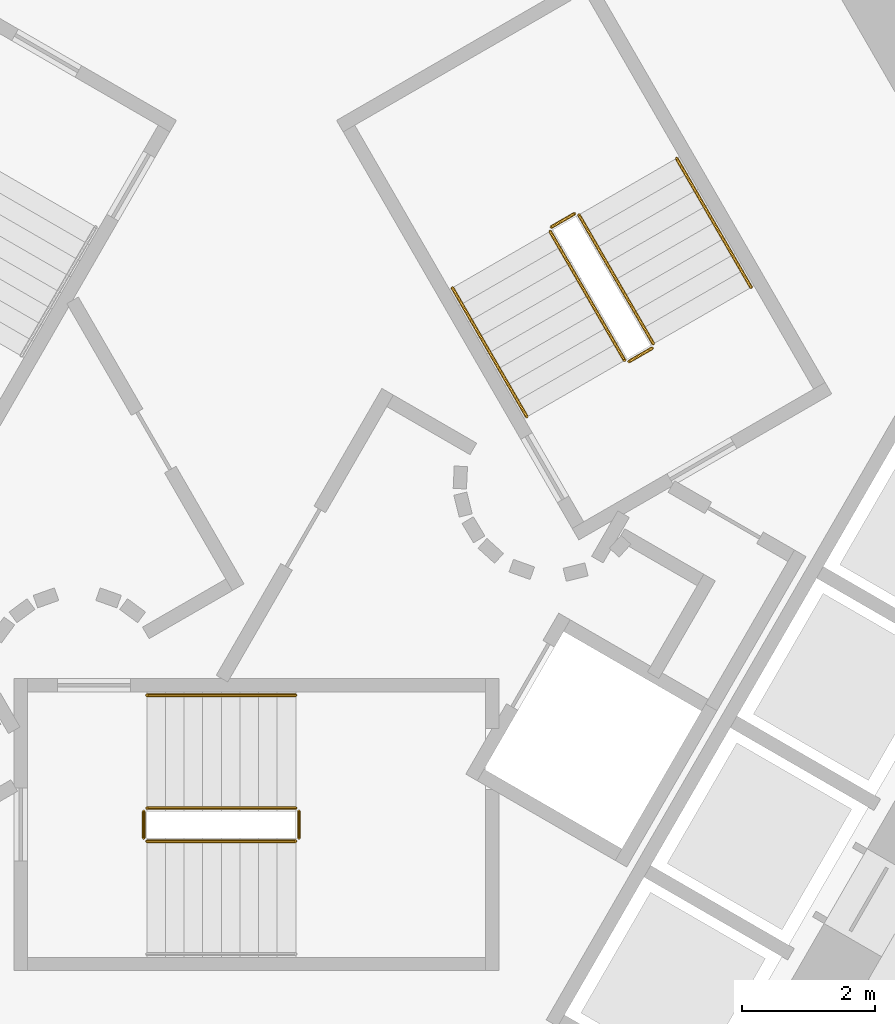
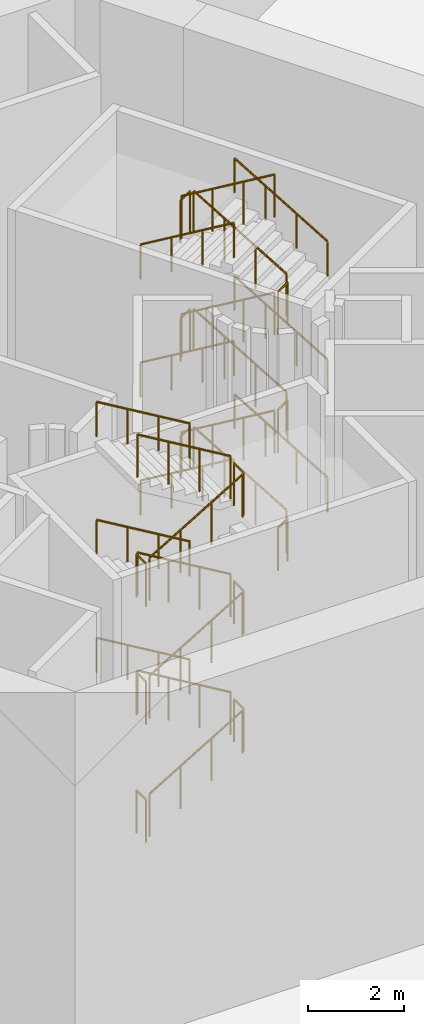
# One storey, part 29 of 36: 33 railings.
"""IFC4 building model written with IfcOpenShell, lengths in metres."""

from ifc_helpers import new_model, si_unit, direction, frame, origin, origin_2d, place, context, subcontext, project, spatial, circle, extrude, material, type_object, element, save


model = new_model("IFC4")

# Units and contexts
model_context = context("Model", 3, precision=1e-05, world=origin(), true_north=direction((0.0, 1.0)))
body_context = subcontext(model_context, "Body", "Model", "MODEL_VIEW")
ifc_project = project(units=[si_unit("LENGTHUNIT", "METRE"), si_unit("AREAUNIT", "SQUARE_METRE"), si_unit("VOLUMEUNIT", "CUBIC_METRE"), si_unit("PLANEANGLEUNIT", "RADIAN"), si_unit("MASSUNIT", "GRAM", prefix="KILO")], contexts=[model_context])

# Site, building, storey
site_placement = place(None, origin())
site = spatial("IfcSite", under=ifc_project, at=site_placement, CompositionType="ELEMENT")
building_placement = place(site_placement, origin())
building = spatial("IfcBuilding", under=site, at=building_placement, Name="Entoto Arch Interchange Tower", CompositionType="ELEMENT")
storey_placement = place(building_placement, origin())
storey = spatial("IfcBuildingStorey", under=building, at=storey_placement, Name="L00", CompositionType="ELEMENT", Elevation=0.0)

# Railings
ifc_material = material(Name="Stainless steel 1.4301", Category="steel")
railing_type_1 = type_object("IfcRailingType", Name="STAIR GUARD 1100 STEEL", PredefinedType="GUARDRAIL", material=ifc_material)
railing_1_placement = place(storey_placement, frame((-1.64990234375, -3.449951171875, 0.166748046875)))
element("IfcRailing", 1, at=railing_1_placement, inside=storey, type_object=railing_type_1, Name="L00 ST-S stair guard 1", PredefinedType="GUARDRAIL", context=body_context, shape_type="SweptSolid", body=[
    extrude(circle(Radius=0.02392578125, at=origin_2d()), frame((0.0, 0.0, 1.076171875), z_axis=(0.859305625298, 0.0, 0.511462454469), x_axis=(0.0, 1.0, 0.0)), (0.0, 0.0, 1.0), 2.606689453125),
    extrude(circle(Radius=0.02099609375, at=origin_2d()), origin(), (0.0, 0.0, 1.0), 1.052001953125),
    extrude(circle(Radius=0.02099609375, at=origin_2d()), frame((0.74658203125, 0.0, 0.4443359375)), (0.0, 0.0, 1.0), 1.052001953125),
    extrude(circle(Radius=0.02099609375, at=origin_2d()), frame((1.493408203125, 0.0, 0.888916015625)), (0.0, 0.0, 1.0), 1.052001953125),
    extrude(circle(Radius=0.02099609375, at=origin_2d()), frame((2.239990234375, 0.0, 1.333251953125)), (0.0, 0.0, 1.0), 1.052001953125),
])
railing_2_placement = place(storey_placement, frame((0.639892578125, -3.39990234375, 1.5)))
element("IfcRailing", 2, at=railing_2_placement, inside=storey, type_object=railing_type_1, Name="L00 ST-S stair guard 2", PredefinedType="GUARDRAIL", context=body_context, shape_type="SweptSolid", body=[
    extrude(circle(Radius=0.02392578125, at=origin_2d()), frame((0.0, 0.0, 1.076171875), z_axis=(0.0, 1.0, 0.0), x_axis=(-1.0, 0.0, 0.0)), (0.0, 0.0, 1.0), 0.39990234375),
    extrude(circle(Radius=0.02099609375, at=origin_2d()), origin(), (0.0, 0.0, 1.0), 1.052001953125),
    extrude(circle(Radius=0.02099609375, at=origin_2d()), frame((0.0, 0.39990234375, 0.0)), (0.0, 0.0, 1.0), 1.052001953125),
])
railing_3_placement = place(storey_placement, frame((0.590087890625, -2.949951171875, 1.666748046875)))
element("IfcRailing", 3, at=railing_3_placement, inside=storey, type_object=railing_type_1, Name="L00 ST-S stair guard 3", PredefinedType="GUARDRAIL", context=body_context, shape_type="SweptSolid", body=[
    extrude(circle(Radius=0.02392578125, at=origin_2d()), frame((0.0, 0.0, 1.076171875), z_axis=(-0.859305625298, 0.0, 0.511462454469), x_axis=(0.0, -1.0, 0.0)), (0.0, 0.0, 1.0), 2.606689453125),
    extrude(circle(Radius=0.02099609375, at=origin_2d()), origin(), (0.0, 0.0, 1.0), 1.052001953125),
    extrude(circle(Radius=0.02099609375, at=origin_2d()), frame((-0.74658203125, 0.0, 0.4443359375)), (0.0, 0.0, 1.0), 1.052001953125),
    extrude(circle(Radius=0.02099609375, at=origin_2d()), frame((-1.493408203125, 0.0, 0.888916015625)), (0.0, 0.0, 1.0), 1.052001953125),
    extrude(circle(Radius=0.02099609375, at=origin_2d()), frame((-2.239990234375, 0.0, 1.333251953125)), (0.0, 0.0, 1.0), 1.052001953125),
])
railing_4_placement = place(storey_placement, frame((-1.699951171875, -3.39990234375, 3.0)))
element("IfcRailing", 4, at=railing_4_placement, inside=storey, type_object=railing_type_1, Name="L00 ST-S stair guard 4", PredefinedType="GUARDRAIL", context=body_context, shape_type="SweptSolid", body=[
    extrude(circle(Radius=0.02392578125, at=origin_2d()), frame((0.0, 0.0, 1.076171875), z_axis=(0.0, 1.0, 0.0), x_axis=(-1.0, 0.0, 0.0)), (0.0, 0.0, 1.0), 0.39990234375),
    extrude(circle(Radius=0.02099609375, at=origin_2d()), origin(), (0.0, 0.0, 1.0), 1.052001953125),
    extrude(circle(Radius=0.02099609375, at=origin_2d()), frame((0.0, 0.39990234375, 0.0)), (0.0, 0.0, 1.0), 1.052001953125),
])
railing_5_placement = place(storey_placement, frame((-1.64990234375, -3.449951171875, 3.166748046875)))
element("IfcRailing", 5, at=railing_5_placement, inside=storey, type_object=railing_type_1, Name="L00 ST-S stair guard 5", PredefinedType="GUARDRAIL", context=body_context, shape_type="SweptSolid", body=[
    extrude(circle(Radius=0.02392578125, at=origin_2d()), frame((0.0, 0.0, 1.076171875), z_axis=(0.859305625298, 0.0, 0.511462454469), x_axis=(0.0, 1.0, 0.0)), (0.0, 0.0, 1.0), 2.606689453125),
    extrude(circle(Radius=0.02099609375, at=origin_2d()), origin(), (0.0, 0.0, 1.0), 1.052001953125),
    extrude(circle(Radius=0.02099609375, at=origin_2d()), frame((0.74658203125, 0.0, 0.4443359375)), (0.0, 0.0, 1.0), 1.052001953125),
    extrude(circle(Radius=0.02099609375, at=origin_2d()), frame((1.493408203125, 0.0, 0.888916015625)), (0.0, 0.0, 1.0), 1.052001953125),
    extrude(circle(Radius=0.02099609375, at=origin_2d()), frame((2.239990234375, 0.0, 1.333251953125)), (0.0, 0.0, 1.0), 1.052001953125),
])
railing_6_placement = place(storey_placement, frame((0.639892578125, -3.39990234375, 4.5)))
element("IfcRailing", 6, at=railing_6_placement, inside=storey, type_object=railing_type_1, Name="L00 ST-S stair guard 6", PredefinedType="GUARDRAIL", context=body_context, shape_type="SweptSolid", body=[
    extrude(circle(Radius=0.02392578125, at=origin_2d()), frame((0.0, 0.0, 1.076171875), z_axis=(0.0, 1.0, 0.0), x_axis=(-1.0, 0.0, 0.0)), (0.0, 0.0, 1.0), 0.39990234375),
    extrude(circle(Radius=0.02099609375, at=origin_2d()), origin(), (0.0, 0.0, 1.0), 1.052001953125),
    extrude(circle(Radius=0.02099609375, at=origin_2d()), frame((0.0, 0.39990234375, 0.0)), (0.0, 0.0, 1.0), 1.052001953125),
])
railing_7_placement = place(storey_placement, frame((0.590087890625, -2.949951171875, 4.666748046875)))
element("IfcRailing", 7, at=railing_7_placement, inside=storey, type_object=railing_type_1, Name="L00 ST-S stair guard 7", PredefinedType="GUARDRAIL", context=body_context, shape_type="SweptSolid", body=[
    extrude(circle(Radius=0.02392578125, at=origin_2d()), frame((0.0, 0.0, 1.076171875), z_axis=(-0.859305625298, 0.0, 0.511462454469), x_axis=(0.0, -1.0, 0.0)), (0.0, 0.0, 1.0), 2.606689453125),
    extrude(circle(Radius=0.02099609375, at=origin_2d()), origin(), (0.0, 0.0, 1.0), 1.052001953125),
    extrude(circle(Radius=0.02099609375, at=origin_2d()), frame((-0.74658203125, 0.0, 0.4443359375)), (0.0, 0.0, 1.0), 1.052001953125),
    extrude(circle(Radius=0.02099609375, at=origin_2d()), frame((-1.493408203125, 0.0, 0.888916015625)), (0.0, 0.0, 1.0), 1.052001953125),
    extrude(circle(Radius=0.02099609375, at=origin_2d()), frame((-2.239990234375, 0.0, 1.333251953125)), (0.0, 0.0, 1.0), 1.052001953125),
])
railing_8_placement = place(storey_placement, frame((-1.699951171875, -3.39990234375, 6.0)))
element("IfcRailing", 8, at=railing_8_placement, inside=storey, type_object=railing_type_1, Name="L00 ST-S stair guard 8", PredefinedType="GUARDRAIL", context=body_context, shape_type="SweptSolid", body=[
    extrude(circle(Radius=0.02392578125, at=origin_2d()), frame((0.0, 0.0, 1.076171875), z_axis=(0.0, 1.0, 0.0), x_axis=(-1.0, 0.0, 0.0)), (0.0, 0.0, 1.0), 0.39990234375),
    extrude(circle(Radius=0.02099609375, at=origin_2d()), origin(), (0.0, 0.0, 1.0), 1.052001953125),
    extrude(circle(Radius=0.02099609375, at=origin_2d()), frame((0.0, 0.39990234375, 0.0)), (0.0, 0.0, 1.0), 1.052001953125),
])
railing_9_placement = place(storey_placement, frame((-1.64990234375, -3.449951171875, 6.166748046875)))
element("IfcRailing", 9, at=railing_9_placement, inside=storey, type_object=railing_type_1, Name="L00 ST-S stair guard 9", PredefinedType="GUARDRAIL", context=body_context, shape_type="SweptSolid", body=[
    extrude(circle(Radius=0.02392578125, at=origin_2d()), frame((0.0, 0.0, 1.076171875), z_axis=(0.859305625298, 0.0, 0.511462454469), x_axis=(0.0, 1.0, 0.0)), (0.0, 0.0, 1.0), 2.606689453125),
    extrude(circle(Radius=0.02099609375, at=origin_2d()), origin(), (0.0, 0.0, 1.0), 1.052001953125),
    extrude(circle(Radius=0.02099609375, at=origin_2d()), frame((0.74658203125, 0.0, 0.4443359375)), (0.0, 0.0, 1.0), 1.052001953125),
    extrude(circle(Radius=0.02099609375, at=origin_2d()), frame((1.493408203125, 0.0, 0.888916015625)), (0.0, 0.0, 1.0), 1.052001953125),
    extrude(circle(Radius=0.02099609375, at=origin_2d()), frame((2.239990234375, 0.0, 1.333251953125)), (0.0, 0.0, 1.0), 1.052001953125),
])
railing_10_placement = place(storey_placement, frame((0.639892578125, -3.39990234375, 7.5)))
element("IfcRailing", 10, at=railing_10_placement, inside=storey, type_object=railing_type_1, Name="L00 ST-S stair guard 10", PredefinedType="GUARDRAIL", context=body_context, shape_type="SweptSolid", body=[
    extrude(circle(Radius=0.02392578125, at=origin_2d()), frame((0.0, 0.0, 1.076171875), z_axis=(0.0, 1.0, 0.0), x_axis=(-1.0, 0.0, 0.0)), (0.0, 0.0, 1.0), 0.39990234375),
    extrude(circle(Radius=0.02099609375, at=origin_2d()), origin(), (0.0, 0.0, 1.0), 1.052001953125),
    extrude(circle(Radius=0.02099609375, at=origin_2d()), frame((0.0, 0.39990234375, 0.0)), (0.0, 0.0, 1.0), 1.052001953125),
])
railing_11_placement = place(storey_placement, frame((0.590087890625, -2.949951171875, 7.666748046875)))
element("IfcRailing", 11, at=railing_11_placement, inside=storey, type_object=railing_type_1, Name="L00 ST-S stair guard 11", PredefinedType="GUARDRAIL", context=body_context, shape_type="SweptSolid", body=[
    extrude(circle(Radius=0.02392578125, at=origin_2d()), frame((0.0, 0.0, 1.076171875), z_axis=(-0.859305625298, 0.0, 0.511462454469), x_axis=(0.0, -1.0, 0.0)), (0.0, 0.0, 1.0), 2.606689453125),
    extrude(circle(Radius=0.02099609375, at=origin_2d()), origin(), (0.0, 0.0, 1.0), 1.052001953125),
    extrude(circle(Radius=0.02099609375, at=origin_2d()), frame((-0.74658203125, 0.0, 0.4443359375)), (0.0, 0.0, 1.0), 1.052001953125),
    extrude(circle(Radius=0.02099609375, at=origin_2d()), frame((-1.493408203125, 0.0, 0.888916015625)), (0.0, 0.0, 1.0), 1.052001953125),
    extrude(circle(Radius=0.02099609375, at=origin_2d()), frame((-2.239990234375, 0.0, 1.333251953125)), (0.0, 0.0, 1.0), 1.052001953125),
])
railing_12_placement = place(storey_placement, frame((-1.699951171875, -3.39990234375, 0.0)))
element("IfcRailing", 12, at=railing_12_placement, inside=storey, type_object=railing_type_1, Name="L00 ST-S stair guard 12", PredefinedType="GUARDRAIL", context=body_context, shape_type="SweptSolid", body=[
    extrude(circle(Radius=0.02392578125, at=origin_2d()), frame((0.0, 0.0, 1.076171875), z_axis=(0.0, 1.0, 0.0), x_axis=(-1.0, 0.0, 0.0)), (0.0, 0.0, 1.0), 0.39990234375),
    extrude(circle(Radius=0.02099609375, at=origin_2d()), origin(), (0.0, 0.0, 1.0), 1.052001953125),
    extrude(circle(Radius=0.02099609375, at=origin_2d()), frame((0.0, 0.39990234375, 0.0)), (0.0, 0.0, 1.0), 1.052001953125),
])
railing_13_placement = place(storey_placement, frame((5.977783203125, 4.046142578125, 0.166748046875)))
element("IfcRailing", 13, at=railing_13_placement, inside=storey, type_object=railing_type_1, Name="L00 ST-NE stair guard 1", PredefinedType="GUARDRAIL", context=body_context, shape_type="SweptSolid", body=[
    extrude(circle(Radius=0.02392578125, at=origin_2d()), frame((0.0, 0.0, 1.076171875), z_axis=(-0.429638077151, 0.74416274754, 0.511500662595), x_axis=(-0.866027664105, -0.49999608499, 0.0)), (0.0, 0.0, 1.0), 2.6064453125),
    extrude(circle(Radius=0.02099609375, at=origin_2d()), origin(), (0.0, 0.0, 1.0), 1.052001953125),
    extrude(circle(Radius=0.02099609375, at=origin_2d()), frame((-0.373291015625, 0.646484375, 0.4443359375)), (0.0, 0.0, 1.0), 1.052001953125),
    extrude(circle(Radius=0.02099609375, at=origin_2d()), frame((-0.74658203125, 1.293212890625, 0.888916015625)), (0.0, 0.0, 1.0), 1.052001953125),
    extrude(circle(Radius=0.02099609375, at=origin_2d()), frame((-1.119873046875, 1.939697265625, 1.333251953125)), (0.0, 0.0, 1.0), 1.052001953125),
])
railing_14_placement = place(storey_placement, frame((4.78955078125, 6.004150390625, 1.5)))
element("IfcRailing", 14, at=railing_14_placement, inside=storey, type_object=railing_type_1, Name="L00 ST-NE stair guard 2", PredefinedType="GUARDRAIL", context=body_context, shape_type="SweptSolid", body=[
    extrude(circle(Radius=0.02392578125, at=origin_2d()), frame((0.0, 0.0, 1.076171875), z_axis=(-0.866094119867, -0.499880961361, 0.0), x_axis=(0.499880961361, -0.866094119867, 0.0)), (0.0, 0.0, 1.0), 0.39990234375),
    extrude(circle(Radius=0.02099609375, at=origin_2d()), origin(), (0.0, 0.0, 1.0), 1.052001953125),
    extrude(circle(Radius=0.02099609375, at=origin_2d()), frame((-0.346435546875, -0.199951171875, 0.0)), (0.0, 0.0, 1.0), 1.052001953125),
])
railing_15_placement = place(storey_placement, frame((4.4248046875, 5.73583984375, 1.666748046875)))
element("IfcRailing", 15, at=railing_15_placement, inside=storey, type_object=railing_type_1, Name="L00 ST-NE stair guard 3", PredefinedType="GUARDRAIL", context=body_context, shape_type="SweptSolid", body=[
    extrude(circle(Radius=0.02392578125, at=origin_2d()), frame((0.0, 0.0, 1.076171875), z_axis=(0.429714447441, -0.744132799677, 0.511480077916), x_axis=(0.865980463445, 0.500077830873, 0.0)), (0.0, 0.0, 1.0), 2.606689453125),
    extrude(circle(Radius=0.02099609375, at=origin_2d()), origin(), (0.0, 0.0, 1.0), 1.052001953125),
    extrude(circle(Radius=0.02099609375, at=origin_2d()), frame((0.373291015625, -0.646484375, 0.4443359375)), (0.0, 0.0, 1.0), 1.052001953125),
    extrude(circle(Radius=0.02099609375, at=origin_2d()), frame((0.746826171875, -1.293212890625, 0.888916015625)), (0.0, 0.0, 1.0), 1.052001953125),
    extrude(circle(Radius=0.02099609375, at=origin_2d()), frame((1.1201171875, -1.939697265625, 1.333251953125)), (0.0, 0.0, 1.0), 1.052001953125),
])
railing_16_placement = place(storey_placement, frame((5.95947265625, 3.977783203125, 3.0)))
element("IfcRailing", 16, at=railing_16_placement, inside=storey, type_object=railing_type_1, Name="L00 ST-NE stair guard 4", PredefinedType="GUARDRAIL", context=body_context, shape_type="SweptSolid", body=[
    extrude(circle(Radius=0.02392578125, at=origin_2d()), frame((0.0, 0.0, 1.076171875), z_axis=(-0.866094119867, -0.499880961361, 0.0), x_axis=(0.499880961361, -0.866094119867, 0.0)), (0.0, 0.0, 1.0), 0.39990234375),
    extrude(circle(Radius=0.02099609375, at=origin_2d()), origin(), (0.0, 0.0, 1.0), 1.052001953125),
    extrude(circle(Radius=0.02099609375, at=origin_2d()), frame((-0.346435546875, -0.199951171875, 0.0)), (0.0, 0.0, 1.0), 1.052001953125),
])
railing_17_placement = place(storey_placement, frame((5.977783203125, 4.046142578125, 3.166748046875)))
element("IfcRailing", 17, at=railing_17_placement, inside=storey, type_object=railing_type_1, Name="L00 ST-NE stair guard 5", PredefinedType="GUARDRAIL", context=body_context, shape_type="SweptSolid", body=[
    extrude(circle(Radius=0.02392578125, at=origin_2d()), frame((0.0, 0.0, 1.076171875), z_axis=(-0.429638077151, 0.74416274754, 0.511500662595), x_axis=(-0.866027664105, -0.49999608499, 0.0)), (0.0, 0.0, 1.0), 2.6064453125),
    extrude(circle(Radius=0.02099609375, at=origin_2d()), origin(), (0.0, 0.0, 1.0), 1.052001953125),
    extrude(circle(Radius=0.02099609375, at=origin_2d()), frame((-0.373291015625, 0.646484375, 0.4443359375)), (0.0, 0.0, 1.0), 1.052001953125),
    extrude(circle(Radius=0.02099609375, at=origin_2d()), frame((-0.74658203125, 1.293212890625, 0.888916015625)), (0.0, 0.0, 1.0), 1.052001953125),
    extrude(circle(Radius=0.02099609375, at=origin_2d()), frame((-1.119873046875, 1.939697265625, 1.333251953125)), (0.0, 0.0, 1.0), 1.052001953125),
])
railing_18_placement = place(storey_placement, frame((4.78955078125, 6.004150390625, 4.5)))
element("IfcRailing", 18, at=railing_18_placement, inside=storey, type_object=railing_type_1, Name="L00 ST-NE stair guard 6", PredefinedType="GUARDRAIL", context=body_context, shape_type="SweptSolid", body=[
    extrude(circle(Radius=0.02392578125, at=origin_2d()), frame((0.0, 0.0, 1.076171875), z_axis=(-0.866094119867, -0.499880961361, 0.0), x_axis=(0.499880961361, -0.866094119867, 0.0)), (0.0, 0.0, 1.0), 0.39990234375),
    extrude(circle(Radius=0.02099609375, at=origin_2d()), origin(), (0.0, 0.0, 1.0), 1.052001953125),
    extrude(circle(Radius=0.02099609375, at=origin_2d()), frame((-0.346435546875, -0.199951171875, 0.0)), (0.0, 0.0, 1.0), 1.052001953125),
])
railing_19_placement = place(storey_placement, frame((4.4248046875, 5.73583984375, 4.666748046875)))
element("IfcRailing", 19, at=railing_19_placement, inside=storey, type_object=railing_type_1, Name="L00 ST-NE stair guard 7", PredefinedType="GUARDRAIL", context=body_context, shape_type="SweptSolid", body=[
    extrude(circle(Radius=0.02392578125, at=origin_2d()), frame((0.0, 0.0, 1.076171875), z_axis=(0.429714447441, -0.744132799677, 0.511480077916), x_axis=(0.865980463445, 0.500077830873, 0.0)), (0.0, 0.0, 1.0), 2.606689453125),
    extrude(circle(Radius=0.02099609375, at=origin_2d()), origin(), (0.0, 0.0, 1.0), 1.052001953125),
    extrude(circle(Radius=0.02099609375, at=origin_2d()), frame((0.373291015625, -0.646484375, 0.4443359375)), (0.0, 0.0, 1.0), 1.052001953125),
    extrude(circle(Radius=0.02099609375, at=origin_2d()), frame((0.746826171875, -1.293212890625, 0.888916015625)), (0.0, 0.0, 1.0), 1.052001953125),
    extrude(circle(Radius=0.02099609375, at=origin_2d()), frame((1.1201171875, -1.939697265625, 1.333251953125)), (0.0, 0.0, 1.0), 1.052001953125),
])
railing_20_placement = place(storey_placement, frame((5.95947265625, 3.977783203125, 6.0)))
element("IfcRailing", 20, at=railing_20_placement, inside=storey, type_object=railing_type_1, Name="L00 ST-NE stair guard 8", PredefinedType="GUARDRAIL", context=body_context, shape_type="SweptSolid", body=[
    extrude(circle(Radius=0.02392578125, at=origin_2d()), frame((0.0, 0.0, 1.076171875), z_axis=(-0.866094119867, -0.499880961361, 0.0), x_axis=(0.499880961361, -0.866094119867, 0.0)), (0.0, 0.0, 1.0), 0.39990234375),
    extrude(circle(Radius=0.02099609375, at=origin_2d()), origin(), (0.0, 0.0, 1.0), 1.052001953125),
    extrude(circle(Radius=0.02099609375, at=origin_2d()), frame((-0.346435546875, -0.199951171875, 0.0)), (0.0, 0.0, 1.0), 1.052001953125),
])
railing_21_placement = place(storey_placement, frame((5.977783203125, 4.046142578125, 6.166748046875)))
element("IfcRailing", 21, at=railing_21_placement, inside=storey, type_object=railing_type_1, Name="L00 ST-NE stair guard 9", PredefinedType="GUARDRAIL", context=body_context, shape_type="SweptSolid", body=[
    extrude(circle(Radius=0.02392578125, at=origin_2d()), frame((0.0, 0.0, 1.076171875), z_axis=(-0.429638077151, 0.74416274754, 0.511500662595), x_axis=(-0.866027664105, -0.49999608499, 0.0)), (0.0, 0.0, 1.0), 2.6064453125),
    extrude(circle(Radius=0.02099609375, at=origin_2d()), origin(), (0.0, 0.0, 1.0), 1.052001953125),
    extrude(circle(Radius=0.02099609375, at=origin_2d()), frame((-0.373291015625, 0.646484375, 0.4443359375)), (0.0, 0.0, 1.0), 1.052001953125),
    extrude(circle(Radius=0.02099609375, at=origin_2d()), frame((-0.74658203125, 1.293212890625, 0.888916015625)), (0.0, 0.0, 1.0), 1.052001953125),
    extrude(circle(Radius=0.02099609375, at=origin_2d()), frame((-1.119873046875, 1.939697265625, 1.333251953125)), (0.0, 0.0, 1.0), 1.052001953125),
])
railing_22_placement = place(storey_placement, frame((4.78955078125, 6.004150390625, 7.5)))
element("IfcRailing", 22, at=railing_22_placement, inside=storey, type_object=railing_type_1, Name="L00 ST-NE stair guard 10", PredefinedType="GUARDRAIL", context=body_context, shape_type="SweptSolid", body=[
    extrude(circle(Radius=0.02392578125, at=origin_2d()), frame((0.0, 0.0, 1.076171875), z_axis=(-0.866094119867, -0.499880961361, 0.0), x_axis=(0.499880961361, -0.866094119867, 0.0)), (0.0, 0.0, 1.0), 0.39990234375),
    extrude(circle(Radius=0.02099609375, at=origin_2d()), origin(), (0.0, 0.0, 1.0), 1.052001953125),
    extrude(circle(Radius=0.02099609375, at=origin_2d()), frame((-0.346435546875, -0.199951171875, 0.0)), (0.0, 0.0, 1.0), 1.052001953125),
])
railing_23_placement = place(storey_placement, frame((4.4248046875, 5.73583984375, 7.666748046875)))
element("IfcRailing", 23, at=railing_23_placement, inside=storey, type_object=railing_type_1, Name="L00 ST-NE stair guard 11", PredefinedType="GUARDRAIL", context=body_context, shape_type="SweptSolid", body=[
    extrude(circle(Radius=0.02392578125, at=origin_2d()), frame((0.0, 0.0, 1.076171875), z_axis=(0.429714447441, -0.744132799677, 0.511480077916), x_axis=(0.865980463445, 0.500077830873, 0.0)), (0.0, 0.0, 1.0), 2.606689453125),
    extrude(circle(Radius=0.02099609375, at=origin_2d()), origin(), (0.0, 0.0, 1.0), 1.052001953125),
    extrude(circle(Radius=0.02099609375, at=origin_2d()), frame((0.373291015625, -0.646484375, 0.4443359375)), (0.0, 0.0, 1.0), 1.052001953125),
    extrude(circle(Radius=0.02099609375, at=origin_2d()), frame((0.746826171875, -1.293212890625, 0.888916015625)), (0.0, 0.0, 1.0), 1.052001953125),
    extrude(circle(Radius=0.02099609375, at=origin_2d()), frame((1.1201171875, -1.939697265625, 1.333251953125)), (0.0, 0.0, 1.0), 1.052001953125),
])
railing_24_placement = place(storey_placement, frame((5.95947265625, 3.977783203125, 0.0)))
element("IfcRailing", 24, at=railing_24_placement, inside=storey, type_object=railing_type_1, Name="L00 ST-NE stair guard 12", PredefinedType="GUARDRAIL", context=body_context, shape_type="SweptSolid", body=[
    extrude(circle(Radius=0.02392578125, at=origin_2d()), frame((0.0, 0.0, 1.076171875), z_axis=(-0.866094119867, -0.499880961361, 0.0), x_axis=(0.499880961361, -0.866094119867, 0.0)), (0.0, 0.0, 1.0), 0.39990234375),
    extrude(circle(Radius=0.02099609375, at=origin_2d()), origin(), (0.0, 0.0, 1.0), 1.052001953125),
    extrude(circle(Radius=0.02099609375, at=origin_2d()), frame((-0.346435546875, -0.199951171875, 0.0)), (0.0, 0.0, 1.0), 1.052001953125),
])
railing_type_2 = type_object("IfcRailingType", Name="STAIR HANDRAIL 900 STEEL", PredefinedType="HANDRAIL", material=ifc_material)
for number, where, name in (
    (25, (0.590087890625, -1.25, 1.666748046875), "L00 ST-S stair handrail 2"),
    (26, (0.590087890625, -1.25, 4.666748046875), "L00 ST-S stair handrail 4"),
    (27, (0.590087890625, -1.25, 7.666748046875), "L00 ST-S stair handrail 6"),
):
    element("IfcRailing", number, at=place(storey_placement, frame(where)), inside=storey, type_object=railing_type_2, Name=name, PredefinedType="HANDRAIL", context=body_context, shape_type="SweptSolid", body=[
        extrude(circle(Radius=0.02392578125, at=origin_2d()), frame((0.0, 0.0, 0.8759765625), z_axis=(-0.859305625298, 0.0, 0.511462454469), x_axis=(0.0, -1.0, 0.0)), (0.0, 0.0, 1.0), 2.606689453125),
        extrude(circle(Radius=0.02099609375, at=origin_2d()), origin(), (0.0, 0.0, 1.0), 0.851806640625),
        extrude(circle(Radius=0.02099609375, at=origin_2d()), frame((-0.74658203125, 0.0, 0.4443359375)), (0.0, 0.0, 1.0), 0.851806640625),
        extrude(circle(Radius=0.02099609375, at=origin_2d()), frame((-1.493408203125, 0.0, 0.888916015625)), (0.0, 0.0, 1.0), 0.851806640625),
        extrude(circle(Radius=0.02099609375, at=origin_2d()), frame((-2.239990234375, 0.0, 1.333251953125)), (0.0, 0.0, 1.0), 0.851806640625),
    ])
railing_25_placement = place(storey_placement, frame((7.4501953125, 4.89599609375, 0.166748046875)))
element("IfcRailing", 28, at=railing_25_placement, inside=storey, type_object=railing_type_2, Name="L00 ST-NE stair handrail 1", PredefinedType="HANDRAIL", context=body_context, shape_type="SweptSolid", body=[
    extrude(circle(Radius=0.02392578125, at=origin_2d()), frame((0.0, 0.0, 0.8759765625), z_axis=(-0.429684499369, 0.744174592847, 0.511444431354), x_axis=(-0.866007717299, -0.500030632641, 0.0)), (0.0, 0.0, 1.0), 2.60693359375),
    extrude(circle(Radius=0.02099609375, at=origin_2d()), origin(), (0.0, 0.0, 1.0), 0.851806640625),
    extrude(circle(Radius=0.02099609375, at=origin_2d()), frame((-0.373291015625, 0.646728515625, 0.4443359375)), (0.0, 0.0, 1.0), 0.851806640625),
    extrude(circle(Radius=0.02099609375, at=origin_2d()), frame((-0.746826171875, 1.293212890625, 0.888916015625)), (0.0, 0.0, 1.0), 0.851806640625),
    extrude(circle(Radius=0.02099609375, at=origin_2d()), frame((-1.1201171875, 1.93994140625, 1.333251953125)), (0.0, 0.0, 1.0), 0.851806640625),
])
railing_26_placement = place(storey_placement, frame((2.95263671875, 4.885986328125, 1.666748046875)))
element("IfcRailing", 29, at=railing_26_placement, inside=storey, type_object=railing_type_2, Name="L00 ST-NE stair handrail 2", PredefinedType="HANDRAIL", context=body_context, shape_type="SweptSolid", body=[
    extrude(circle(Radius=0.02392578125, at=origin_2d()), frame((0.0, 0.0, 0.8759765625), z_axis=(0.429608131991, -0.744204538217, 0.51146501173), x_axis=(0.866054910533, 0.49994888933, 0.0)), (0.0, 0.0, 1.0), 2.606689453125),
    extrude(circle(Radius=0.02099609375, at=origin_2d()), origin(), (0.0, 0.0, 1.0), 0.851806640625),
    extrude(circle(Radius=0.02099609375, at=origin_2d()), frame((0.373291015625, -0.646728515625, 0.4443359375)), (0.0, 0.0, 1.0), 0.851806640625),
    extrude(circle(Radius=0.02099609375, at=origin_2d()), frame((0.74658203125, -1.293212890625, 0.888916015625)), (0.0, 0.0, 1.0), 0.851806640625),
    extrude(circle(Radius=0.02099609375, at=origin_2d()), frame((1.119873046875, -1.93994140625, 1.333251953125)), (0.0, 0.0, 1.0), 0.851806640625),
])
railing_27_placement = place(storey_placement, frame((7.4501953125, 4.89599609375, 3.166748046875)))
element("IfcRailing", 30, at=railing_27_placement, inside=storey, type_object=railing_type_2, Name="L00 ST-NE stair handrail 3", PredefinedType="HANDRAIL", context=body_context, shape_type="SweptSolid", body=[
    extrude(circle(Radius=0.02392578125, at=origin_2d()), frame((0.0, 0.0, 0.8759765625), z_axis=(-0.429684499369, 0.744174592847, 0.511444431354), x_axis=(-0.866007717299, -0.500030632641, 0.0)), (0.0, 0.0, 1.0), 2.60693359375),
    extrude(circle(Radius=0.02099609375, at=origin_2d()), origin(), (0.0, 0.0, 1.0), 0.851806640625),
    extrude(circle(Radius=0.02099609375, at=origin_2d()), frame((-0.373291015625, 0.646728515625, 0.4443359375)), (0.0, 0.0, 1.0), 0.851806640625),
    extrude(circle(Radius=0.02099609375, at=origin_2d()), frame((-0.746826171875, 1.293212890625, 0.888916015625)), (0.0, 0.0, 1.0), 0.851806640625),
    extrude(circle(Radius=0.02099609375, at=origin_2d()), frame((-1.1201171875, 1.93994140625, 1.333251953125)), (0.0, 0.0, 1.0), 0.851806640625),
])
railing_28_placement = place(storey_placement, frame((2.95263671875, 4.885986328125, 4.666748046875)))
element("IfcRailing", 31, at=railing_28_placement, inside=storey, type_object=railing_type_2, Name="L00 ST-NE stair handrail 4", PredefinedType="HANDRAIL", context=body_context, shape_type="SweptSolid", body=[
    extrude(circle(Radius=0.02392578125, at=origin_2d()), frame((0.0, 0.0, 0.8759765625), z_axis=(0.429608131991, -0.744204538217, 0.51146501173), x_axis=(0.866054910533, 0.49994888933, 0.0)), (0.0, 0.0, 1.0), 2.606689453125),
    extrude(circle(Radius=0.02099609375, at=origin_2d()), origin(), (0.0, 0.0, 1.0), 0.851806640625),
    extrude(circle(Radius=0.02099609375, at=origin_2d()), frame((0.373291015625, -0.646728515625, 0.4443359375)), (0.0, 0.0, 1.0), 0.851806640625),
    extrude(circle(Radius=0.02099609375, at=origin_2d()), frame((0.74658203125, -1.293212890625, 0.888916015625)), (0.0, 0.0, 1.0), 0.851806640625),
    extrude(circle(Radius=0.02099609375, at=origin_2d()), frame((1.119873046875, -1.93994140625, 1.333251953125)), (0.0, 0.0, 1.0), 0.851806640625),
])
railing_29_placement = place(storey_placement, frame((7.4501953125, 4.89599609375, 6.166748046875)))
element("IfcRailing", 32, at=railing_29_placement, inside=storey, type_object=railing_type_2, Name="L00 ST-NE stair handrail 5", PredefinedType="HANDRAIL", context=body_context, shape_type="SweptSolid", body=[
    extrude(circle(Radius=0.02392578125, at=origin_2d()), frame((0.0, 0.0, 0.8759765625), z_axis=(-0.429684499369, 0.744174592847, 0.511444431354), x_axis=(-0.866007717299, -0.500030632641, 0.0)), (0.0, 0.0, 1.0), 2.60693359375),
    extrude(circle(Radius=0.02099609375, at=origin_2d()), origin(), (0.0, 0.0, 1.0), 0.851806640625),
    extrude(circle(Radius=0.02099609375, at=origin_2d()), frame((-0.373291015625, 0.646728515625, 0.4443359375)), (0.0, 0.0, 1.0), 0.851806640625),
    extrude(circle(Radius=0.02099609375, at=origin_2d()), frame((-0.746826171875, 1.293212890625, 0.888916015625)), (0.0, 0.0, 1.0), 0.851806640625),
    extrude(circle(Radius=0.02099609375, at=origin_2d()), frame((-1.1201171875, 1.93994140625, 1.333251953125)), (0.0, 0.0, 1.0), 0.851806640625),
])
railing_30_placement = place(storey_placement, frame((2.95263671875, 4.885986328125, 7.666748046875)))
element("IfcRailing", 33, at=railing_30_placement, inside=storey, type_object=railing_type_2, Name="L00 ST-NE stair handrail 6", PredefinedType="HANDRAIL", context=body_context, shape_type="SweptSolid", body=[
    extrude(circle(Radius=0.02392578125, at=origin_2d()), frame((0.0, 0.0, 0.8759765625), z_axis=(0.429608131991, -0.744204538217, 0.51146501173), x_axis=(0.866054910533, 0.49994888933, 0.0)), (0.0, 0.0, 1.0), 2.606689453125),
    extrude(circle(Radius=0.02099609375, at=origin_2d()), origin(), (0.0, 0.0, 1.0), 0.851806640625),
    extrude(circle(Radius=0.02099609375, at=origin_2d()), frame((0.373291015625, -0.646728515625, 0.4443359375)), (0.0, 0.0, 1.0), 0.851806640625),
    extrude(circle(Radius=0.02099609375, at=origin_2d()), frame((0.74658203125, -1.293212890625, 0.888916015625)), (0.0, 0.0, 1.0), 0.851806640625),
    extrude(circle(Radius=0.02099609375, at=origin_2d()), frame((1.119873046875, -1.93994140625, 1.333251953125)), (0.0, 0.0, 1.0), 0.851806640625),
])

save(model, "model.ifc")
